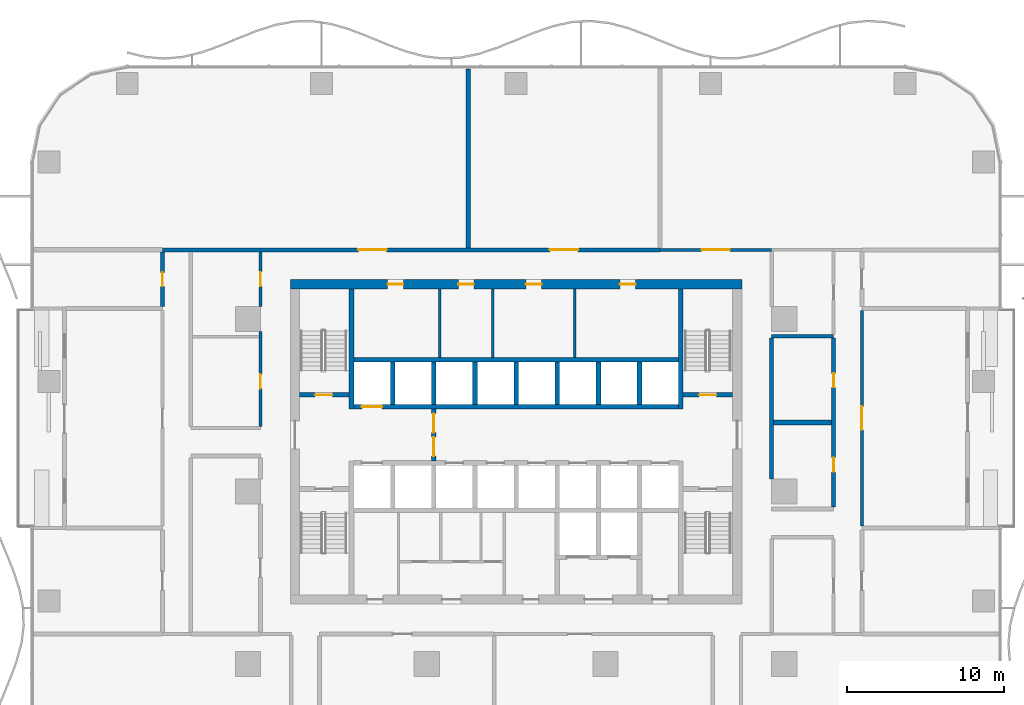
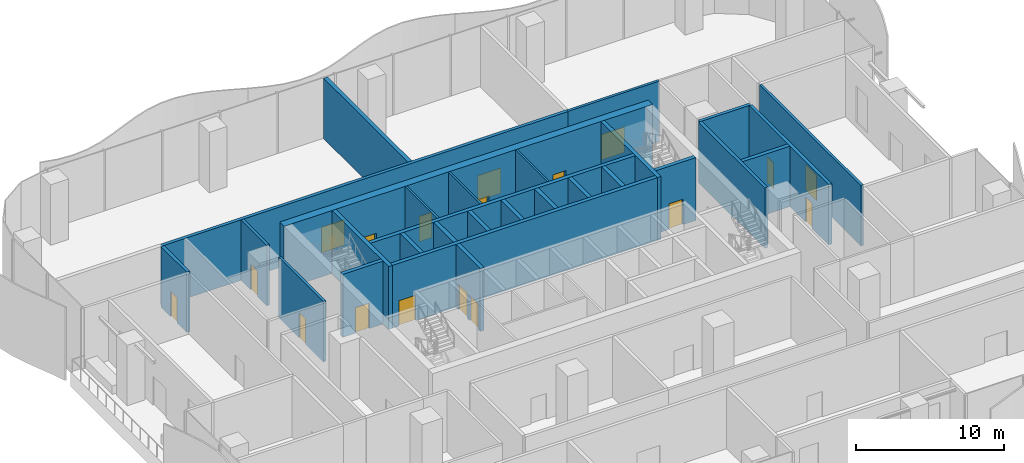
# One storey, part 10 of 21: 29 walls, 18 doors, 18 openings.
"""IFC4 building model written with IfcOpenShell, lengths in metres."""

import ifcopenshell
import ifcopenshell.guid

model = None  # the IFC model being written
_history = None  # IfcOwnerHistory: only IFC2X3 demands one
_inside = {}  # id of a spatial element -> (the spatial element, [elements in it])
_under = {}  # id of a project, library or spatial element -> (it, [spatial elements below it])
_declared = {}  # id of a project -> (the project, [libraries it declares])
_typed = {}  # id of a type object -> (the type object, [elements of that type])
_made_of = {}  # id of a material, layer set ... -> (it, [elements and type objects made of it])


def new_model(schema):
    """Start an empty IFC model of exactly this schema.

    Asked for "IFC4X3", IfcOpenShell would pick the latest addendum, in which some entities
    have other attributes; the version numbers below select the first issue.
    IFC2X3 requires an IfcOwnerHistory on every rooted entity: one is made here for all.
    """
    global model, _history
    if schema == "IFC4X3":
        model = ifcopenshell.file(schema_version=(4, 3, 0, 0))
    else:
        model = ifcopenshell.file(schema=schema)
    _inside.clear()
    _under.clear()
    _declared.clear()
    _typed.clear()
    _made_of.clear()
    _history = None
    if model.schema == "IFC2X3":
        org = make("IfcOrganization", Name="unknown")
        user = make(
            "IfcPersonAndOrganization",
            ThePerson=make("IfcPerson", FamilyName="unknown"),
            TheOrganization=org,
        )
        app = make(
            "IfcApplication",
            ApplicationDeveloper=org,
            Version="unknown",
            ApplicationFullName="unknown",
            ApplicationIdentifier="unknown",
        )
        _history = make(
            "IfcOwnerHistory",
            OwningUser=user,
            OwningApplication=app,
            ChangeAction="ADDED",
            CreationDate=0,
        )
    return model


def make(cls, **values):
    """One entity of the class cls with the attributes given. An attribute that is None is left unset."""
    return model.create_entity(
        cls, **{name: value for name, value in values.items() if value is not None}
    )


def rooted(cls, **values):
    """An entity with a GlobalId (a new one), such as an element, a storey or a relation."""
    return make(cls, GlobalId=ifcopenshell.guid.new(), OwnerHistory=_history, **values)


def si_unit(unit_type, name, prefix=None):
    """IfcSIUnit, for example si_unit("LENGTHUNIT", "METRE", prefix="MILLI")."""
    return make("IfcSIUnit", UnitType=unit_type, Prefix=prefix, Name=name)


def assignment(units):
    """IfcUnitAssignment: the units of a project."""
    return None if units is None else make("IfcUnitAssignment", Units=units)


def point(xyz):
    """IfcCartesianPoint."""
    return None if xyz is None else make("IfcCartesianPoint", Coordinates=xyz)


def direction(xyz):
    """IfcDirection."""
    return None if xyz is None else make("IfcDirection", DirectionRatios=xyz)


def frame(location, z_axis=None, x_axis=None):
    """IfcAxis2Placement3D, a coordinate frame: its origin and axes. An axis left out is left unset."""
    return make(
        "IfcAxis2Placement3D",
        Location=point(location),
        Axis=direction(z_axis),
        RefDirection=direction(x_axis),
    )


def frame_2d(location, x_axis=None):
    """IfcAxis2Placement2D, a coordinate frame in the plane: its origin and x axis."""
    return make(
        "IfcAxis2Placement2D", Location=point(location), RefDirection=direction(x_axis)
    )


def origin():
    """The frame at (0, 0, 0) with its axes left unset."""
    return frame((0.0, 0.0, 0.0))


def place(relative_to, where):
    """IfcLocalPlacement: puts the frame where relative to a parent placement (None: the world)."""
    return make(
        "IfcLocalPlacement", PlacementRelTo=relative_to, RelativePlacement=where
    )


def context(
    kind, dimensions, precision=None, world=None, true_north=None, identifier=None
):
    """IfcGeometricRepresentationContext, for example the 3D "Model" context."""
    return make(
        "IfcGeometricRepresentationContext",
        ContextIdentifier=identifier,
        ContextType=kind,
        CoordinateSpaceDimension=dimensions,
        Precision=precision,
        WorldCoordinateSystem=world,
        TrueNorth=true_north,
    )


def subcontext(parent, identifier, kind, view, scale=None):
    """IfcGeometricRepresentationSubContext, for example "Body" below "Model"."""
    return make(
        "IfcGeometricRepresentationSubContext",
        ContextIdentifier=identifier,
        ContextType=kind,
        ParentContext=parent,
        TargetScale=scale,
        TargetView=view,
    )


def project(units=None, contexts=None):
    """IfcProject with its units and contexts."""
    return rooted(
        "IfcProject",
        Name="project",
        RepresentationContexts=contexts,
        UnitsInContext=assignment(units),
    )


def spatial(cls, under=None, at=None, **own):
    """A site, building, storey or space (cls), placed at a placement, below another one or the project."""
    s = rooted(cls, ObjectPlacement=at, **own)
    if under is not None:
        _under.setdefault(under.id(), (under, []))[1].append(s)
    return s


def profile(cls, at=None, kind="AREA", **sizes):
    """A parametric profile (cls). Its sizes go by their IFC names, for example OverallWidth=200.0."""
    return make(cls, ProfileType=kind, Position=at, **sizes)


def rectangle(**sizes):
    """IfcRectangleProfileDef."""
    return profile("IfcRectangleProfileDef", **sizes)


def extrude(swept, where, along, depth):
    """IfcExtrudedAreaSolid: the profile swept, set in the frame where, extruded along a direction by depth."""
    return make(
        "IfcExtrudedAreaSolid",
        SweptArea=swept,
        Position=where,
        ExtrudedDirection=direction(along),
        Depth=depth,
    )


def shape(context_of_items, identifier, shape_type, items):
    """IfcShapeRepresentation: the items that make up one representation, for example the "Body"."""
    return make(
        "IfcShapeRepresentation",
        ContextOfItems=context_of_items,
        RepresentationIdentifier=identifier,
        RepresentationType=shape_type,
        Items=items,
    )


def material(Name=None, Category=None):
    """IfcMaterial."""
    return make("IfcMaterial", Name=Name, Category=Category)


def layer(
    of_material, thickness, ventilated=None, Name=None, Category=None, Priority=None
):
    """IfcMaterialLayer: one layer of a wall or slab, of a material (None: an air gap)."""
    return make(
        "IfcMaterialLayer",
        Material=of_material,
        LayerThickness=thickness,
        IsVentilated=ventilated,
        Name=Name,
        Category=Category,
        Priority=Priority,
    )


def layer_set(layers, Name=None):
    """IfcMaterialLayerSet."""
    return make("IfcMaterialLayerSet", MaterialLayers=layers, LayerSetName=Name)


def made_of(thing, what):
    """Note that an element or type object is made of a material, layer set ...; save() writes the relation."""
    if what is not None:
        _made_of.setdefault(what.id(), (what, []))[1].append(thing)
    return thing


def type_object(cls, material=None, **own):
    """A type object (cls), such as IfcWallType, which elements share."""
    return made_of(rooted(cls, **own), material)


def element(
    cls,
    number,
    at=None,
    inside=None,
    cuts=None,
    type_object=None,
    material=None,
    context=None,
    identifier="Body",
    shape_type=None,
    held_by="IfcProductDefinitionShape",
    body=None,
    shapes=None,
    **own,
):
    """One element of the class cls, such as IfcWall. Its Tag is "e" and its number.

    at: its placement. inside: the storey or other place that contains it. cuts: it is an
    opening in that element (IfcRelVoidsElement). A single representation is given by context,
    identifier, shape_type and body (its items); several are given by shapes. held_by: the class
    of the entity that holds the representations. save() writes the other relations.
    """
    e = rooted(cls, Tag="e%d" % number, ObjectPlacement=at, **own)
    if body is not None:
        shapes = [shape(context, identifier, shape_type, body)]
    if shapes is not None:
        e.Representation = make(held_by, Representations=shapes)
    if inside is not None:
        _inside.setdefault(inside.id(), (inside, []))[1].append(e)
    if cuts is not None:
        rooted(
            "IfcRelVoidsElement", RelatingBuildingElement=cuts, RelatedOpeningElement=e
        )
    if type_object is not None:
        _typed.setdefault(type_object.id(), (type_object, []))[1].append(e)
    return made_of(e, material)


def fill(opening, filler):
    """IfcRelFillsElement: the door or window that sits in an opening."""
    return rooted(
        "IfcRelFillsElement",
        RelatingOpeningElement=opening,
        RelatedBuildingElement=filler,
    )


def aggregate(whole, parts):
    """IfcRelAggregates: a whole, such as a stair, and the parts it consists of."""
    return rooted("IfcRelAggregates", RelatingObject=whole, RelatedObjects=parts)


def save(model, path):
    """Write the relations noted so far, then the file.

    IfcRelAggregates (storeys below a building ...), IfcRelContainedInSpatialStructure (elements
    in a storey), IfcRelDefinesByType, IfcRelAssociatesMaterial and IfcRelDeclares: one each for
    every whole, place, type object, material and project.
    """
    for whole, parts in _under.values():
        aggregate(whole, parts)
    for where, things in _inside.values():
        rooted(
            "IfcRelContainedInSpatialStructure",
            RelatedElements=things,
            RelatingStructure=where,
        )
    for kind, things in _typed.values():
        rooted("IfcRelDefinesByType", RelatedObjects=things, RelatingType=kind)
    for what, things in _made_of.values():
        rooted("IfcRelAssociatesMaterial", RelatedObjects=things, RelatingMaterial=what)
    for by, libraries in _declared.values():
        rooted("IfcRelDeclares", RelatingContext=by, RelatedDefinitions=libraries)
    model.write(path)


model = new_model("IFC4")

# Units and contexts
model_context = context("Model", 3, precision=1e-05, world=origin(), true_north=direction((0.0, 1.0)))
body_context = subcontext(model_context, "Body", "Model", "MODEL_VIEW")
ifc_project = project(units=[si_unit("LENGTHUNIT", "METRE"), si_unit("AREAUNIT", "SQUARE_METRE"), si_unit("VOLUMEUNIT", "CUBIC_METRE"), si_unit("PLANEANGLEUNIT", "RADIAN"), si_unit("MASSUNIT", "GRAM", prefix="KILO")], contexts=[model_context])

# Site, building, storey
site_placement = place(None, origin())
site = spatial("IfcSite", under=ifc_project, at=site_placement, CompositionType="ELEMENT")
building_placement = place(site_placement, origin())
building = spatial("IfcBuilding", under=site, at=building_placement, Name="Mopane Tessera Tower", CompositionType="ELEMENT")
storey_placement = place(building_placement, frame((0.0, 0.0, 9.0)))
storey = spatial("IfcBuildingStorey", under=building, at=storey_placement, Name="L01", CompositionType="ELEMENT", Elevation=9.0)

# Walls
ifc_material_1 = material(Name="Fire-rated gypsum board partition")
ifc_layer_1 = layer(ifc_material_1, 0.14990234375)
ifc_layer_set_1 = layer_set([ifc_layer_1], Name="Fire-rated gypsum board partition")
wall_type_1 = type_object("IfcWallType", Name="Core room partition 150 mm", PredefinedType="PARTITIONING", material=ifc_layer_set_1)
for number, where, z_axis, x_axis, name in (
    (1, (-4.875, 8.550048828125, 0.0), (0.0, 0.0, 1.0), (0.0, 1.0, 0.0), "L01 Room partition"),
    (2, (-1.5, 8.550048828125, 0.0), (0.0, 0.0, 1.0), (0.0, 1.0, 0.0), "L01 Room partition"),
    (3, (3.75, 8.550048828125, 0.0), (0.0, 0.0, 1.0), (0.0, 1.0, 0.0), "L01 Room partition"),
):
    element("IfcWall", number, at=place(storey_placement, frame(where, z_axis=z_axis, x_axis=x_axis)), inside=storey, type_object=wall_type_1, Name=name, PredefinedType="PARTITIONING", context=body_context, shape_type="SweptSolid", body=[
        extrude(rectangle(XDim=4.349853515625, YDim=0.14990234375, at=frame_2d((2.1748046875, 0.0))), origin(), (0.0, 0.0, 1.0), 5.199951171875),
    ])

# Wall, openings, doors
ifc_material_2 = material(Name="Concrete C70/85", Category="concrete")
ifc_layer_2 = layer(ifc_material_2, 0.60009765625)
ifc_layer_set_2 = layer_set([ifc_layer_2], Name="Concrete C70/85")
wall_type_2 = type_object("IfcWallType", Name="Core shear wall 600 mm", PredefinedType="SHEAR", material=ifc_layer_set_2)
wall_1_placement = place(storey_placement, frame((-14.39990234375, 13.199951171875, 0.0), z_axis=(0.0, 0.0, 1.0), x_axis=(1.0, 0.0, 0.0)))
wall_1 = element("IfcWall", 4, at=wall_1_placement, inside=storey, type_object=wall_type_2, Name="L01 Core wall north", PredefinedType="SHEAR", context=body_context, shape_type="SweptSolid", body=[
    extrude(rectangle(XDim=28.7998046875, YDim=0.60009765625, at=frame_2d((14.39990234375, 0.0))), origin(), (0.0, 0.0, 1.0), 5.199951171875),
])
opening_1_placement = place(wall_1_placement, frame((6.21240234375, 0.0, 0.0)))
opening_1 = element("IfcOpeningElement", 5, at=opening_1_placement, cuts=wall_1, Name="Opening RD1", PredefinedType="OPENING", context=body_context, shape_type="SweptSolid", body=[
    extrude(rectangle(XDim=1.0, YDim=2.10009765625, at=frame_2d((0.5, 1.050048828125))), frame((0.0, 0.31201171875, 0.0), z_axis=(0.0, -1.0, 0.0), x_axis=(1.0, 0.0, 0.0)), (0.0, 0.0, 1.0), 0.6240234375),
])
opening_2_placement = place(wall_1_placement, frame((10.71240234375, 0.0, 0.0)))
opening_2 = element("IfcOpeningElement", 6, at=opening_2_placement, cuts=wall_1, Name="Opening RD1", PredefinedType="OPENING", context=body_context, shape_type="SweptSolid", body=[
    extrude(rectangle(XDim=1.0, YDim=2.10009765625, at=frame_2d((0.5, 1.050048828125))), frame((0.0, 0.31201171875, 0.0), z_axis=(0.0, -1.0, 0.0), x_axis=(1.0, 0.0, 0.0)), (0.0, 0.0, 1.0), 0.6240234375),
])
opening_3_placement = place(wall_1_placement, frame((15.02490234375, 0.0, 0.0)))
opening_3 = element("IfcOpeningElement", 7, at=opening_3_placement, cuts=wall_1, Name="Opening RD1", PredefinedType="OPENING", context=body_context, shape_type="SweptSolid", body=[
    extrude(rectangle(XDim=1.0, YDim=2.10009765625, at=frame_2d((0.5, 1.050048828125))), frame((0.0, 0.31201171875, 0.0), z_axis=(0.0, -1.0, 0.0), x_axis=(1.0, 0.0, 0.0)), (0.0, 0.0, 1.0), 0.6240234375),
])
opening_4_placement = place(wall_1_placement, frame((21.02490234375, 0.0, 0.0)))
opening_4 = element("IfcOpeningElement", 8, at=opening_4_placement, cuts=wall_1, Name="Opening RD1", PredefinedType="OPENING", context=body_context, shape_type="SweptSolid", body=[
    extrude(rectangle(XDim=1.0, YDim=2.10009765625, at=frame_2d((0.5, 1.050048828125))), frame((0.0, 0.31201171875, 0.0), z_axis=(0.0, -1.0, 0.0), x_axis=(1.0, 0.0, 0.0)), (0.0, 0.0, 1.0), 0.6240234375),
])
ifc_material_3 = material(Name="Timber door", Category="wood")
door_type_1 = type_object("IfcDoorType", Name="Core room door 1000 x 2100", OperationType="SINGLE_SWING_LEFT", PredefinedType="DOOR", material=ifc_material_3)
door_1_placement = place(opening_1_placement, origin())
door_1 = element("IfcDoor", 9, at=door_1_placement, inside=storey, type_object=door_type_1, Name="L01 Room door", OperationType="SINGLE_SWING_LEFT", OverallHeight=2.10009765625, OverallWidth=1.0, PredefinedType="DOOR", context=body_context, shape_type="SweptSolid", body=[
    extrude(rectangle(XDim=1.0, YDim=2.10009765625, at=frame_2d((0.5, 1.050048828125))), frame((0.0, 0.02490234375, 0.0), z_axis=(0.0, -1.0, 0.0), x_axis=(1.0, 0.0, 0.0)), (0.0, 0.0, 1.0), 0.050048828125),
])
fill(opening_1, door_1)
door_2_placement = place(opening_2_placement, origin())
door_2 = element("IfcDoor", 10, at=door_2_placement, inside=storey, type_object=door_type_1, Name="L01 Room door", OperationType="SINGLE_SWING_LEFT", OverallHeight=2.10009765625, OverallWidth=1.0, PredefinedType="DOOR", context=body_context, shape_type="SweptSolid", body=[
    extrude(rectangle(XDim=1.0, YDim=2.10009765625, at=frame_2d((0.5, 1.050048828125))), frame((0.0, 0.02490234375, 0.0), z_axis=(0.0, -1.0, 0.0), x_axis=(1.0, 0.0, 0.0)), (0.0, 0.0, 1.0), 0.050048828125),
])
fill(opening_2, door_2)
door_3_placement = place(opening_3_placement, origin())
door_3 = element("IfcDoor", 11, at=door_3_placement, inside=storey, type_object=door_type_1, Name="L01 Room door", OperationType="SINGLE_SWING_LEFT", OverallHeight=2.10009765625, OverallWidth=1.0, PredefinedType="DOOR", context=body_context, shape_type="SweptSolid", body=[
    extrude(rectangle(XDim=1.0, YDim=2.10009765625, at=frame_2d((0.5, 1.050048828125))), frame((0.0, 0.02490234375, 0.0), z_axis=(0.0, -1.0, 0.0), x_axis=(1.0, 0.0, 0.0)), (0.0, 0.0, 1.0), 0.050048828125),
])
fill(opening_3, door_3)
door_4_placement = place(opening_4_placement, origin())
door_4 = element("IfcDoor", 12, at=door_4_placement, inside=storey, type_object=door_type_1, Name="L01 Room door", OperationType="SINGLE_SWING_LEFT", OverallHeight=2.10009765625, OverallWidth=1.0, PredefinedType="DOOR", context=body_context, shape_type="SweptSolid", body=[
    extrude(rectangle(XDim=1.0, YDim=2.10009765625, at=frame_2d((0.5, 1.050048828125))), frame((0.0, 0.02490234375, 0.0), z_axis=(0.0, -1.0, 0.0), x_axis=(1.0, 0.0, 0.0)), (0.0, 0.0, 1.0), 0.050048828125),
])
fill(opening_4, door_4)

# Walls
ifc_material_4 = material(Name="Concrete C60/75", Category="concrete")
ifc_layer_3 = layer(ifc_material_4, 0.300048828125)
ifc_layer_set_3 = layer_set([ifc_layer_3], Name="Concrete C60/75")
wall_type_3 = type_object("IfcWallType", Name="Core spine wall 300 mm", PredefinedType="SHEAR", material=ifc_layer_set_3)
for number, where, z_axis, x_axis, name in (
    (13, (-10.5, 5.25, 0.0), (0.0, 0.0, 1.0), (0.0, 1.0, 0.0), "L01 Core spine wall"),
    (14, (10.5, 5.25, 0.0), (0.0, 0.0, 1.0), (0.0, 1.0, 0.0), "L01 Core spine wall"),
):
    element("IfcWall", number, at=place(storey_placement, frame(where, z_axis=z_axis, x_axis=x_axis)), inside=storey, type_object=wall_type_3, Name=name, PredefinedType="SHEAR", context=body_context, shape_type="SweptSolid", body=[
        extrude(rectangle(XDim=7.64990234375, YDim=0.300048828125, at=frame_2d((3.824951171875, 0.0))), origin(), (0.0, 0.0, 1.0), 5.199951171875),
    ])

# Wall, opening, door
ifc_material_5 = material(Name="Gypsum board on steel studs, two layers each face, mineral wool infill", Category="steel")
ifc_layer_4 = layer(ifc_material_5, 0.199951171875)
ifc_layer_set_4 = layer_set([ifc_layer_4], Name="Gypsum board on steel studs, two layers each face, mineral wool infill")
wall_type_4 = type_object("IfcWallType", Name="Gypsum board corridor wall 200, rated EI 60", PredefinedType="PARTITIONING", material=ifc_layer_set_4)
wall_2_placement = place(storey_placement, frame((9.1650390625, 15.39990234375, 0.0), z_axis=(0.0, 0.0, 1.0), x_axis=(1.0, 0.0, 0.0)))
wall_2 = element("IfcWall", 15, at=wall_2_placement, inside=storey, type_object=wall_type_4, Name="Partition L01:029", PredefinedType="PARTITIONING", context=body_context, shape_type="SweptSolid", body=[
    extrude(rectangle(XDim=7.135009765625, YDim=0.199951171875, at=frame_2d((3.5673828125, 0.0))), origin(), (0.0, 0.0, 1.0), 5.0),
])
opening_5_placement = place(wall_2_placement, frame((2.66748046875, 0.0, 0.0)))
opening_5 = element("IfcOpeningElement", 16, at=opening_5_placement, cuts=wall_2, Name="Opening L01-21", PredefinedType="OPENING", context=body_context, shape_type="SweptSolid", body=[
    extrude(rectangle(XDim=1.800048828125, YDim=2.10009765625, at=frame_2d((0.89990234375, 1.050048828125))), frame((0.0, 0.112060546875, 0.0), z_axis=(0.0, -1.0, 0.0), x_axis=(1.0, 0.0, 0.0)), (0.0, 0.0, 1.0), 0.223876953125),
])
ifc_material_6 = material(Name="Timber veneered steel-framed fire door", Category="steel")
door_type_2 = type_object("IfcDoorType", Name="Fire door pair FD60 1800 x 2100", OperationType="DOUBLE_DOOR_SINGLE_SWING", PredefinedType="DOOR", material=ifc_material_6)
door_5_placement = place(opening_5_placement, origin())
door_5 = element("IfcDoor", 17, at=door_5_placement, inside=storey, type_object=door_type_2, Name="Door L01-21", ObjectType="D20A", OperationType="DOUBLE_DOOR_SINGLE_SWING", OverallHeight=2.10009765625, OverallWidth=1.800048828125, PredefinedType="DOOR", context=body_context, shape_type="SweptSolid", body=[
    extrude(rectangle(XDim=1.800048828125, YDim=2.10009765625, at=frame_2d((0.89990234375, 1.050048828125))), frame((0.0, 0.02490234375, 0.0), z_axis=(0.0, -1.0, 0.0), x_axis=(1.0, 0.0, 0.0)), (0.0, 0.0, 1.0), 0.050048828125),
])
fill(opening_5, door_5)

wall_3_placement = place(storey_placement, frame((-16.300048828125, 4.14990234375, 0.0), z_axis=(0.0, 0.0, 1.0), x_axis=(0.0, 1.0, 0.0)))
wall_3 = element("IfcWall", 18, at=wall_3_placement, inside=storey, type_object=wall_type_4, Name="Partition L01:039", PredefinedType="PARTITIONING", context=body_context, shape_type="SweptSolid", body=[
    extrude(rectangle(XDim=6.050048828125, YDim=0.199951171875, at=frame_2d((3.02490234375, 0.0))), origin(), (0.0, 0.0, 1.0), 5.0),
])
opening_6_placement = place(wall_3_placement, frame((2.407470703125, 0.0, 0.0)))
opening_6 = element("IfcOpeningElement", 19, at=opening_6_placement, cuts=wall_3, Name="Opening L01-18", PredefinedType="OPENING", context=body_context, shape_type="SweptSolid", body=[
    extrude(rectangle(XDim=0.89990234375, YDim=2.10009765625, at=frame_2d((0.449951171875, 1.050048828125))), frame((0.0, 0.112060546875, 0.0), z_axis=(0.0, -1.0, 0.0), x_axis=(1.0, 0.0, 0.0)), (0.0, 0.0, 1.0), 0.223876953125),
])
ifc_material_7 = material(Name="Timber veneered steel-framed fire door", Category="steel")
door_type_3 = type_object("IfcDoorType", Name="Fire door FD60 900 x 2100", OperationType="SINGLE_SWING_LEFT", PredefinedType="DOOR", material=ifc_material_7)
door_6_placement = place(opening_6_placement, origin())
door_6 = element("IfcDoor", 20, at=door_6_placement, inside=storey, type_object=door_type_3, Name="Door L01-18", ObjectType="D10A", OperationType="SINGLE_SWING_LEFT", OverallHeight=2.10009765625, OverallWidth=0.89990234375, PredefinedType="DOOR", context=body_context, shape_type="SweptSolid", body=[
    extrude(rectangle(XDim=0.89990234375, YDim=2.10009765625, at=frame_2d((0.449951171875, 1.050048828125))), frame((0.0, 0.02490234375, 0.0), z_axis=(0.0, -1.0, 0.0), x_axis=(1.0, 0.0, 0.0)), (0.0, 0.0, 1.0), 0.050048828125),
])
fill(opening_6, door_6)

wall_4_placement = place(storey_placement, frame((-16.300048828125, 11.800048828125, 0.0), z_axis=(0.0, 0.0, 1.0), x_axis=(0.0, 1.0, 0.0)))
wall_4 = element("IfcWall", 21, at=wall_4_placement, inside=storey, type_object=wall_type_4, Name="Partition L01:040", PredefinedType="PARTITIONING", context=body_context, shape_type="SweptSolid", body=[
    extrude(rectangle(XDim=3.474853515625, YDim=0.199951171875, at=frame_2d((1.7373046875, 0.0))), origin(), (0.0, 0.0, 1.0), 5.0),
])
opening_7_placement = place(wall_4_placement, frame((1.28759765625, 0.0, 0.0)))
opening_7 = element("IfcOpeningElement", 22, at=opening_7_placement, cuts=wall_4, Name="Opening L01-16", PredefinedType="OPENING", context=body_context, shape_type="SweptSolid", body=[
    extrude(rectangle(XDim=0.89990234375, YDim=2.10009765625, at=frame_2d((0.449951171875, 1.050048828125))), frame((0.0, 0.112060546875, 0.0), z_axis=(0.0, -1.0, 0.0), x_axis=(1.0, 0.0, 0.0)), (0.0, 0.0, 1.0), 0.223876953125),
])
door_7_placement = place(opening_7_placement, origin())
door_7 = element("IfcDoor", 23, at=door_7_placement, inside=storey, type_object=door_type_3, Name="Door L01-16", ObjectType="D10A", OperationType="SINGLE_SWING_LEFT", OverallHeight=2.10009765625, OverallWidth=0.89990234375, PredefinedType="DOOR", context=body_context, shape_type="SweptSolid", body=[
    extrude(rectangle(XDim=0.89990234375, YDim=2.10009765625, at=frame_2d((0.449951171875, 1.050048828125))), frame((0.0, 0.02490234375, 0.0), z_axis=(0.0, -1.0, 0.0), x_axis=(1.0, 0.0, 0.0)), (0.0, 0.0, 1.0), 0.050048828125),
])
fill(opening_7, door_7)

wall_5_placement = place(storey_placement, frame((22.050048828125, -2.2099609375, 0.0), z_axis=(0.0, 0.0, 1.0), x_axis=(0.0, 1.0, 0.0)))
wall_5 = element("IfcWall", 24, at=wall_5_placement, inside=storey, type_object=wall_type_4, Name="Partition L01:059", PredefinedType="PARTITIONING", context=body_context, shape_type="SweptSolid", body=[
    extrude(rectangle(XDim=13.75, YDim=0.199951171875, at=frame_2d((6.875, 0.0))), origin(), (0.0, 0.0, 1.0), 5.0),
])
opening_8_placement = place(wall_5_placement, frame((6.125, 0.0, 0.0)))
opening_8 = element("IfcOpeningElement", 25, at=opening_8_placement, cuts=wall_5, Name="Opening L01-24", PredefinedType="OPENING", context=body_context, shape_type="SweptSolid", body=[
    extrude(rectangle(XDim=1.5, YDim=2.10009765625, at=frame_2d((0.75, 1.050048828125))), frame((0.0, 0.112060546875, 0.0), z_axis=(0.0, -1.0, 0.0), x_axis=(1.0, 0.0, 0.0)), (0.0, 0.0, 1.0), 0.223876953125),
])
ifc_material_8 = material(Name="Timber veneered steel-framed fire door", Category="steel")
door_type_4 = type_object("IfcDoorType", Name="Fire door pair FD60 1500 x 2100", OperationType="DOUBLE_DOOR_SINGLE_SWING", PredefinedType="DOOR", material=ifc_material_8)
door_8_placement = place(opening_8_placement, origin())
door_8 = element("IfcDoor", 26, at=door_8_placement, inside=storey, type_object=door_type_4, Name="Door L01-24", ObjectType="D17A", OperationType="DOUBLE_DOOR_SINGLE_SWING", OverallHeight=2.10009765625, OverallWidth=1.5, PredefinedType="DOOR", context=body_context, shape_type="SweptSolid", body=[
    extrude(rectangle(XDim=1.5, YDim=2.10009765625, at=frame_2d((0.75, 1.050048828125))), frame((0.0, 0.02490234375, 0.0), z_axis=(0.0, -1.0, 0.0), x_axis=(1.0, 0.0, 0.0)), (0.0, 0.0, 1.0), 0.050048828125),
])
fill(opening_8, door_8)

ifc_material_9 = material(Name="Concrete C50/60", Category="concrete")
ifc_layer_5 = layer(ifc_material_9, 0.300048828125)
ifc_layer_set_5 = layer_set([ifc_layer_5], Name="Concrete C50/60")
wall_type_5 = type_object("IfcWallType", Name="Lift and stair shaft wall 300 mm", PredefinedType="SOLIDWALL", material=ifc_layer_set_5)
wall_6_placement = place(storey_placement, frame((-13.800048828125, 6.14990234375, 0.0), z_axis=(0.0, 0.0, 1.0), x_axis=(1.0, 0.0, 0.0)))
wall_6 = element("IfcWall", 27, at=wall_6_placement, inside=storey, type_object=wall_type_5, Name="L01 Stair enclosure wall", PredefinedType="SOLIDWALL", context=body_context, shape_type="SweptSolid", body=[
    extrude(rectangle(XDim=3.150146484375, YDim=0.300048828125, at=frame_2d((1.5751953125, 0.0))), origin(), (0.0, 0.0, 1.0), 5.199951171875),
])
opening_9_placement = place(wall_6_placement, frame((0.97509765625, 0.0, 0.0)))
opening_9 = element("IfcOpeningElement", 28, at=opening_9_placement, cuts=wall_6, Name="Opening SD1", PredefinedType="OPENING", context=body_context, shape_type="SweptSolid", body=[
    extrude(rectangle(XDim=1.10009765625, YDim=2.10009765625, at=frame_2d((0.550048828125, 1.050048828125))), frame((0.0, 0.162109375, 0.0), z_axis=(0.0, -1.0, 0.0), x_axis=(1.0, 0.0, 0.0)), (0.0, 0.0, 1.0), 0.323974609375),
])
ifc_material_10 = material(Name="Steel fire door", Category="steel")
door_type_5 = type_object("IfcDoorType", Name="Stair fire door 1100 x 2100", OperationType="SINGLE_SWING_LEFT", PredefinedType="DOOR", material=ifc_material_10)
door_9_placement = place(opening_9_placement, origin())
door_9 = element("IfcDoor", 29, at=door_9_placement, inside=storey, type_object=door_type_5, Name="L01 Stair door ST2", OperationType="SINGLE_SWING_LEFT", OverallHeight=2.10009765625, OverallWidth=1.10009765625, PredefinedType="DOOR", context=body_context, shape_type="SweptSolid", body=[
    extrude(rectangle(XDim=1.10009765625, YDim=2.10009765625, at=frame_2d((0.550048828125, 1.050048828125))), frame((0.0, 0.02490234375, 0.0), z_axis=(0.0, -1.0, 0.0), x_axis=(1.0, 0.0, 0.0)), (0.0, 0.0, 1.0), 0.050048828125),
])
fill(opening_9, door_9)

wall_7_placement = place(storey_placement, frame((10.64990234375, 6.14990234375, 0.0), z_axis=(0.0, 0.0, 1.0), x_axis=(1.0, 0.0, 0.0)))
wall_7 = element("IfcWall", 30, at=wall_7_placement, inside=storey, type_object=wall_type_5, Name="L01 Stair enclosure wall", PredefinedType="SOLIDWALL", context=body_context, shape_type="SweptSolid", body=[
    extrude(rectangle(XDim=3.150146484375, YDim=0.300048828125, at=frame_2d((1.5751953125, 0.0))), origin(), (0.0, 0.0, 1.0), 5.199951171875),
])
opening_10_placement = place(wall_7_placement, frame((1.02490234375, 0.0, 0.0)))
opening_10 = element("IfcOpeningElement", 31, at=opening_10_placement, cuts=wall_7, Name="Opening SD1", PredefinedType="OPENING", context=body_context, shape_type="SweptSolid", body=[
    extrude(rectangle(XDim=1.10009765625, YDim=2.10009765625, at=frame_2d((0.550048828125, 1.050048828125))), frame((0.0, 0.162109375, 0.0), z_axis=(0.0, -1.0, 0.0), x_axis=(1.0, 0.0, 0.0)), (0.0, 0.0, 1.0), 0.323974609375),
])
door_10_placement = place(opening_10_placement, origin())
door_10 = element("IfcDoor", 32, at=door_10_placement, inside=storey, type_object=door_type_5, Name="L01 Stair door ST4", OperationType="SINGLE_SWING_RIGHT", OverallHeight=2.10009765625, OverallWidth=1.10009765625, PredefinedType="DOOR", context=body_context, shape_type="SweptSolid", body=[
    extrude(rectangle(XDim=1.10009765625, YDim=2.10009765625, at=frame_2d((0.550048828125, 1.050048828125))), frame((0.0, 0.02490234375, 0.0), z_axis=(0.0, -1.0, 0.0), x_axis=(1.0, 0.0, 0.0)), (0.0, 0.0, 1.0), 0.050048828125),
])
fill(opening_10, door_10)

wall_8_placement = place(storey_placement, frame((-10.35009765625, 5.39990234375, 0.0), z_axis=(0.0, 0.0, 1.0), x_axis=(1.0, 0.0, 0.0)))
wall_8 = element("IfcWall", 33, at=wall_8_placement, inside=storey, type_object=wall_type_5, Name="L01 Lift shaft front wall", PredefinedType="SOLIDWALL", context=body_context, shape_type="SweptSolid", body=[
    extrude(rectangle(XDim=20.7001953125, YDim=0.300048828125, at=frame_2d((10.35009765625, 0.0))), origin(), (0.0, 0.0, 1.0), 5.199951171875),
])
opening_11_placement = place(wall_8_placement, frame((0.512451171875, 0.0, 0.0)))
opening_11 = element("IfcOpeningElement", 34, at=opening_11_placement, cuts=wall_8, Name="Opening LD2", PredefinedType="OPENING", context=body_context, shape_type="SweptSolid", body=[
    extrude(rectangle(XDim=1.300048828125, YDim=2.10009765625, at=frame_2d((0.64990234375, 1.050048828125))), frame((0.0, 0.162109375, 0.0), z_axis=(0.0, -1.0, 0.0), x_axis=(1.0, 0.0, 0.0)), (0.0, 0.0, 1.0), 0.323974609375),
])
ifc_material_11 = material(Name="Stainless steel sliding door", Category="steel")
door_type_6 = type_object("IfcDoorType", Name="Fire-fighting lift landing door 1300 x 2100", OperationType="DOUBLE_DOOR_SLIDING", PredefinedType="DOOR", material=ifc_material_11)
door_11_placement = place(opening_11_placement, origin())
door_11 = element("IfcDoor", 35, at=door_11_placement, inside=storey, type_object=door_type_6, Name="L01 Lift landing door FF2", OperationType="DOUBLE_DOOR_SLIDING", OverallHeight=2.10009765625, OverallWidth=1.300048828125, PredefinedType="DOOR", context=body_context, shape_type="SweptSolid", body=[
    extrude(rectangle(XDim=1.300048828125, YDim=2.10009765625, at=frame_2d((0.64990234375, 1.050048828125))), frame((0.0, 0.02490234375, 0.0), z_axis=(0.0, -1.0, 0.0), x_axis=(1.0, 0.0, 0.0)), (0.0, 0.0, 1.0), 0.050048828125),
])
fill(opening_11, door_11)

# Walls
wall_9_placement = place(storey_placement, frame((-10.35009765625, 8.39990234375, 0.0), z_axis=(0.0, 0.0, 1.0), x_axis=(1.0, 0.0, 0.0)))
element("IfcWall", 36, at=wall_9_placement, inside=storey, type_object=wall_type_5, Name="L01 Lift shaft rear wall", PredefinedType="SOLIDWALL", context=body_context, shape_type="SweptSolid", body=[
    extrude(rectangle(XDim=20.7001953125, YDim=0.300048828125, at=frame_2d((10.35009765625, 0.0))), origin(), (0.0, 0.0, 1.0), 5.199951171875),
])
for number, where, z_axis, x_axis, name in (
    (37, (-7.875, 5.550048828125, 0.0), (0.0, 0.0, 1.0), (0.0, 1.0, 0.0), "L01 Lift shaft wall"),
    (38, (-5.25, 5.550048828125, 0.0), (0.0, 0.0, 1.0), (0.0, 1.0, 0.0), "L01 Lift shaft wall"),
    (39, (-2.625, 5.550048828125, 0.0), (0.0, 0.0, 1.0), (0.0, 1.0, 0.0), "L01 Lift shaft wall"),
    (40, (0.0, 5.550048828125, 0.0), (0.0, 0.0, 1.0), (0.0, 1.0, 0.0), "L01 Lift shaft wall"),
    (41, (2.625, 5.550048828125, 0.0), (0.0, 0.0, 1.0), (0.0, 1.0, 0.0), "L01 Lift shaft wall"),
    (42, (5.25, 5.550048828125, 0.0), (0.0, 0.0, 1.0), (0.0, 1.0, 0.0), "L01 Lift shaft wall"),
    (43, (7.875, 5.550048828125, 0.0), (0.0, 0.0, 1.0), (0.0, 1.0, 0.0), "L01 Lift shaft wall"),
):
    element("IfcWall", number, at=place(storey_placement, frame(where, z_axis=z_axis, x_axis=x_axis)), inside=storey, type_object=wall_type_5, Name=name, PredefinedType="SOLIDWALL", context=body_context, shape_type="SweptSolid", body=[
        extrude(rectangle(XDim=2.699951171875, YDim=0.300048828125, at=frame_2d((1.35009765625, 0.0))), origin(), (0.0, 0.0, 1.0), 5.199951171875),
    ])

# Wall, openings, doors
ifc_material_12 = material(Name="Concrete C50/60", Category="concrete")
ifc_layer_6 = layer(ifc_material_12, 0.300048828125)
ifc_layer_set_6 = layer_set([ifc_layer_6], Name="Concrete C50/60")
wall_type_6 = type_object("IfcWallType", Name="Lobby and refuge room wall 300 mm", PredefinedType="SOLIDWALL", material=ifc_layer_set_6)
wall_10_placement = place(storey_placement, frame((-5.25, 1.949951171875, 0.0), z_axis=(0.0, 0.0, 1.0), x_axis=(0.0, 1.0, 0.0)))
wall_10 = element("IfcWall", 44, at=wall_10_placement, inside=storey, type_object=wall_type_6, Name="L01 Fire-fighting lobby wall", PredefinedType="SOLIDWALL", context=body_context, shape_type="SweptSolid", body=[
    extrude(rectangle(XDim=3.300048828125, YDim=0.300048828125, at=frame_2d((1.64990234375, 0.0))), origin(), (0.0, 0.0, 1.0), 5.199951171875),
])
opening_12_placement = place(wall_10_placement, frame((0.300048828125, 0.0, 0.0)))
opening_12 = element("IfcOpeningElement", 45, at=opening_12_placement, cuts=wall_10, Name="Opening SD3", PredefinedType="OPENING", context=body_context, shape_type="SweptSolid", body=[
    extrude(rectangle(XDim=1.199951171875, YDim=2.10009765625, at=frame_2d((0.60009765625, 1.050048828125))), frame((0.0, 0.162109375, 0.0), z_axis=(0.0, -1.0, 0.0), x_axis=(1.0, 0.0, 0.0)), (0.0, 0.0, 1.0), 0.323974609375),
])
opening_13_placement = place(wall_10_placement, frame((1.800048828125, 0.0, 0.0)))
opening_13 = element("IfcOpeningElement", 46, at=opening_13_placement, cuts=wall_10, Name="Opening SD3", PredefinedType="OPENING", context=body_context, shape_type="SweptSolid", body=[
    extrude(rectangle(XDim=1.199951171875, YDim=2.10009765625, at=frame_2d((0.60009765625, 1.050048828125))), frame((0.0, 0.162109375, 0.0), z_axis=(0.0, -1.0, 0.0), x_axis=(1.0, 0.0, 0.0)), (0.0, 0.0, 1.0), 0.323974609375),
])
ifc_material_13 = material(Name="Steel fire door", Category="steel")
door_type_7 = type_object("IfcDoorType", Name="Lobby fire door 1200 x 2100", OperationType="SINGLE_SWING_LEFT", PredefinedType="DOOR", material=ifc_material_13)
door_12_placement = place(opening_12_placement, origin())
door_12 = element("IfcDoor", 47, at=door_12_placement, inside=storey, type_object=door_type_7, Name="L01 Fire-fighting lobby door", OperationType="SINGLE_SWING_LEFT", OverallHeight=2.10009765625, OverallWidth=1.199951171875, PredefinedType="DOOR", context=body_context, shape_type="SweptSolid", body=[
    extrude(rectangle(XDim=1.199951171875, YDim=2.10009765625, at=frame_2d((0.60009765625, 1.050048828125))), frame((0.0, 0.02490234375, 0.0), z_axis=(0.0, -1.0, 0.0), x_axis=(1.0, 0.0, 0.0)), (0.0, 0.0, 1.0), 0.050048828125),
])
fill(opening_12, door_12)
door_13_placement = place(opening_13_placement, origin())
door_13 = element("IfcDoor", 48, at=door_13_placement, inside=storey, type_object=door_type_7, Name="L01 Fire-fighting lobby door", OperationType="SINGLE_SWING_RIGHT", OverallHeight=2.10009765625, OverallWidth=1.199951171875, PredefinedType="DOOR", context=body_context, shape_type="SweptSolid", body=[
    extrude(rectangle(XDim=1.199951171875, YDim=2.10009765625, at=frame_2d((0.60009765625, 1.050048828125))), frame((0.0, 0.02490234375, 0.0), z_axis=(0.0, -1.0, 0.0), x_axis=(1.0, 0.0, 0.0)), (0.0, 0.0, 1.0), 0.050048828125),
])
fill(opening_13, door_13)

# Walls
ifc_material_14 = material(Name="Plastered concrete blockwork C20/25", Category="masonry")
ifc_layer_7 = layer(ifc_material_14, 0.300048828125)
ifc_layer_set_7 = layer_set([ifc_layer_7], Name="Plastered concrete blockwork C20/25")
wall_type_7 = type_object("IfcWallType", Name="Plastered blockwork separation wall 300, rated EI 120", PredefinedType="PARTITIONING", material=ifc_layer_set_7)
wall_11_placement = place(storey_placement, frame((16.425048828125, 4.385009765625, 0.0), z_axis=(0.0, 0.0, 1.0), x_axis=(1.0, 0.0, 0.0)))
element("IfcWall", 49, at=wall_11_placement, inside=storey, type_object=wall_type_7, Name="Partition L01:023", PredefinedType="PARTITIONING", context=body_context, shape_type="SweptSolid", body=[
    extrude(rectangle(XDim=3.699951171875, YDim=0.300048828125, at=frame_2d((1.85009765625, 0.0))), origin(), (0.0, 0.0, 1.0), 5.0),
])
wall_12_placement = place(storey_placement, frame((-3.054931640625, 15.52490234375, 0.0), z_axis=(0.0, 0.0, 1.0), x_axis=(0.0, 1.0, 0.0)))
element("IfcWall", 50, at=wall_12_placement, inside=storey, type_object=wall_type_7, Name="Partition L01:046", PredefinedType="PARTITIONING", context=body_context, shape_type="SweptSolid", body=[
    extrude(rectangle(XDim=11.425048828125, YDim=0.300048828125, at=frame_2d((5.71240234375, 0.0))), origin(), (0.0, 0.0, 1.0), 5.0),
])
ifc_material_15 = material(Name="Plastered concrete blockwork C20/25", Category="masonry")
ifc_layer_8 = layer(ifc_material_15, 0.25)
ifc_layer_set_8 = layer_set([ifc_layer_8], Name="Plastered concrete blockwork C20/25")
wall_type_8 = type_object("IfcWallType", Name="Plastered blockwork wall 250, rated EI 120", PredefinedType="PARTITIONING", material=ifc_layer_set_8)
wall_13_placement = place(storey_placement, frame((16.300048828125, 9.889892578125, 0.0), z_axis=(0.0, 0.0, 1.0), x_axis=(1.0, 0.0, 0.0)))
element("IfcWall", 51, at=wall_13_placement, inside=storey, type_object=wall_type_8, Name="Partition L01:025", PredefinedType="PARTITIONING", context=body_context, shape_type="SweptSolid", body=[
    extrude(rectangle(XDim=3.949951171875, YDim=0.25, at=frame_2d((1.97509765625, 0.0))), origin(), (0.0, 0.0, 1.0), 5.0),
])

# Wall, openings, doors
wall_14_placement = place(storey_placement, frame((-22.550048828125, 15.39990234375, 0.0), z_axis=(0.0, 0.0, 1.0), x_axis=(1.0, 0.0, 0.0)))
wall_14 = element("IfcWall", 52, at=wall_14_placement, inside=storey, type_object=wall_type_8, Name="Partition L01:031", PredefinedType="PARTITIONING", context=body_context, shape_type="SweptSolid", body=[
    extrude(rectangle(XDim=31.715087890625, YDim=0.25, at=frame_2d((15.857421875, 0.0))), origin(), (0.0, 0.0, 1.0), 5.0),
])
opening_14_placement = place(wall_14_placement, frame((12.485107421875, 0.0, 0.0)))
opening_14 = element("IfcOpeningElement", 53, at=opening_14_placement, cuts=wall_14, Name="Opening L01-08", PredefinedType="OPENING", context=body_context, shape_type="SweptSolid", body=[
    extrude(rectangle(XDim=1.800048828125, YDim=2.10009765625, at=frame_2d((0.89990234375, 1.050048828125))), frame((0.0, 0.136962890625, 0.0), z_axis=(0.0, -1.0, 0.0), x_axis=(1.0, 0.0, 0.0)), (0.0, 0.0, 1.0), 0.27392578125),
])
opening_15_placement = place(wall_14_placement, frame((24.705078125, 0.0, 0.0)))
opening_15 = element("IfcOpeningElement", 54, at=opening_15_placement, cuts=wall_14, Name="Opening L01-12", PredefinedType="OPENING", context=body_context, shape_type="SweptSolid", body=[
    extrude(rectangle(XDim=1.800048828125, YDim=2.10009765625, at=frame_2d((0.89990234375, 1.050048828125))), frame((0.0, 0.136962890625, 0.0), z_axis=(0.0, -1.0, 0.0), x_axis=(1.0, 0.0, 0.0)), (0.0, 0.0, 1.0), 0.27392578125),
])
ifc_material_16 = material(Name="Timber veneered steel-framed fire door", Category="steel")
door_type_8 = type_object("IfcDoorType", Name="Fire door pair FD120 1800 x 2100", OperationType="DOUBLE_DOOR_SINGLE_SWING", PredefinedType="DOOR", material=ifc_material_16)
door_14_placement = place(opening_14_placement, origin())
door_14 = element("IfcDoor", 55, at=door_14_placement, inside=storey, type_object=door_type_8, Name="Door L01-08", ObjectType="D20B", OperationType="DOUBLE_DOOR_SINGLE_SWING", OverallHeight=2.10009765625, OverallWidth=1.800048828125, PredefinedType="DOOR", context=body_context, shape_type="SweptSolid", body=[
    extrude(rectangle(XDim=1.800048828125, YDim=2.10009765625, at=frame_2d((0.89990234375, 1.050048828125))), frame((0.0, 0.02490234375, 0.0), z_axis=(0.0, -1.0, 0.0), x_axis=(1.0, 0.0, 0.0)), (0.0, 0.0, 1.0), 0.050048828125),
])
fill(opening_14, door_14)
door_15_placement = place(opening_15_placement, origin())
door_15 = element("IfcDoor", 56, at=door_15_placement, inside=storey, type_object=door_type_8, Name="Door L01-12", ObjectType="D20B", OperationType="DOUBLE_DOOR_SINGLE_SWING", OverallHeight=2.10009765625, OverallWidth=1.800048828125, PredefinedType="DOOR", context=body_context, shape_type="SweptSolid", body=[
    extrude(rectangle(XDim=1.800048828125, YDim=2.10009765625, at=frame_2d((0.89990234375, 1.050048828125))), frame((0.0, 0.02490234375, 0.0), z_axis=(0.0, -1.0, 0.0), x_axis=(1.0, 0.0, 0.0)), (0.0, 0.0, 1.0), 0.050048828125),
])
fill(opening_15, door_15)

# Wall, opening, door
wall_15_placement = place(storey_placement, frame((-22.550048828125, 11.7900390625, 0.0), z_axis=(0.0, 0.0, 1.0), x_axis=(0.0, 1.0, 0.0)))
wall_15 = element("IfcWall", 57, at=wall_15_placement, inside=storey, type_object=wall_type_8, Name="Partition L01:036", PredefinedType="PARTITIONING", context=body_context, shape_type="SweptSolid", body=[
    extrude(rectangle(XDim=3.4599609375, YDim=0.25, at=frame_2d((1.72998046875, 0.0))), origin(), (0.0, 0.0, 1.0), 5.0),
])
opening_16_placement = place(wall_15_placement, frame((1.280029296875, 0.0, 0.0)))
opening_16 = element("IfcOpeningElement", 58, at=opening_16_placement, cuts=wall_15, Name="Opening L01-01", PredefinedType="OPENING", context=body_context, shape_type="SweptSolid", body=[
    extrude(rectangle(XDim=0.89990234375, YDim=2.10009765625, at=frame_2d((0.449951171875, 1.050048828125))), frame((0.0, 0.136962890625, 0.0), z_axis=(0.0, -1.0, 0.0), x_axis=(1.0, 0.0, 0.0)), (0.0, 0.0, 1.0), 0.27392578125),
])
ifc_material_17 = material(Name="Timber veneered steel-framed fire door", Category="steel")
door_type_9 = type_object("IfcDoorType", Name="Fire door FD120 900 x 2100", OperationType="SINGLE_SWING_LEFT", PredefinedType="DOOR", material=ifc_material_17)
door_16_placement = place(opening_16_placement, origin())
door_16 = element("IfcDoor", 59, at=door_16_placement, inside=storey, type_object=door_type_9, Name="Door L01-01", ObjectType="D10B", OperationType="SINGLE_SWING_LEFT", OverallHeight=2.10009765625, OverallWidth=0.89990234375, PredefinedType="DOOR", context=body_context, shape_type="SweptSolid", body=[
    extrude(rectangle(XDim=0.89990234375, YDim=2.10009765625, at=frame_2d((0.449951171875, 1.050048828125))), frame((0.0, 0.02490234375, 0.0), z_axis=(0.0, -1.0, 0.0), x_axis=(1.0, 0.0, 0.0)), (0.0, 0.0, 1.0), 0.050048828125),
])
fill(opening_16, door_16)

# Wall
wall_16_placement = place(storey_placement, frame((16.300048828125, 0.800048828125, 0.0), z_axis=(0.0, 0.0, 1.0), x_axis=(0.0, 1.0, 0.0)))
element("IfcWall", 60, at=wall_16_placement, inside=storey, type_object=wall_type_8, Name="Partition L01:055", PredefinedType="PARTITIONING", context=body_context, shape_type="SweptSolid", body=[
    extrude(rectangle(XDim=8.96484375, YDim=0.25, at=frame_2d((4.482421875, 0.0))), origin(), (0.0, 0.0, 1.0), 5.0),
])

# Wall, openings, doors
wall_17_placement = place(storey_placement, frame((20.25, -1.0, 0.0), z_axis=(0.0, 0.0, 1.0), x_axis=(0.0, 1.0, 0.0)))
wall_17 = element("IfcWall", 61, at=wall_17_placement, inside=storey, type_object=wall_type_8, Name="Partition L01:058", PredefinedType="PARTITIONING", context=body_context, shape_type="SweptSolid", body=[
    extrude(rectangle(XDim=10.764892578125, YDim=0.25, at=frame_2d((5.38232421875, 0.0))), origin(), (0.0, 0.0, 1.0), 5.0),
])
opening_17_placement = place(wall_17_placement, frame((2.242431640625, 0.0, 0.0)))
opening_17 = element("IfcOpeningElement", 62, at=opening_17_placement, cuts=wall_17, Name="Opening L01-09", PredefinedType="OPENING", context=body_context, shape_type="SweptSolid", body=[
    extrude(rectangle(XDim=0.89990234375, YDim=2.10009765625, at=frame_2d((0.449951171875, 1.050048828125))), frame((0.0, 0.136962890625, 0.0), z_axis=(0.0, -1.0, 0.0), x_axis=(1.0, 0.0, 0.0)), (0.0, 0.0, 1.0), 0.27392578125),
])
opening_18_placement = place(wall_17_placement, frame((7.625, 0.0, 0.0)))
opening_18 = element("IfcOpeningElement", 63, at=opening_18_placement, cuts=wall_17, Name="Opening L01-13", PredefinedType="OPENING", context=body_context, shape_type="SweptSolid", body=[
    extrude(rectangle(XDim=0.89990234375, YDim=2.10009765625, at=frame_2d((0.449951171875, 1.050048828125))), frame((0.0, 0.136962890625, 0.0), z_axis=(0.0, -1.0, 0.0), x_axis=(1.0, 0.0, 0.0)), (0.0, 0.0, 1.0), 0.27392578125),
])
door_17_placement = place(opening_17_placement, origin())
door_17 = element("IfcDoor", 64, at=door_17_placement, inside=storey, type_object=door_type_9, Name="Door L01-09", ObjectType="D10B", OperationType="SINGLE_SWING_LEFT", OverallHeight=2.10009765625, OverallWidth=0.89990234375, PredefinedType="DOOR", context=body_context, shape_type="SweptSolid", body=[
    extrude(rectangle(XDim=0.89990234375, YDim=2.10009765625, at=frame_2d((0.449951171875, 1.050048828125))), frame((0.0, 0.02490234375, 0.0), z_axis=(0.0, -1.0, 0.0), x_axis=(1.0, 0.0, 0.0)), (0.0, 0.0, 1.0), 0.050048828125),
])
fill(opening_17, door_17)
door_18_placement = place(opening_18_placement, origin())
door_18 = element("IfcDoor", 65, at=door_18_placement, inside=storey, type_object=door_type_9, Name="Door L01-13", ObjectType="D10B", OperationType="SINGLE_SWING_LEFT", OverallHeight=2.10009765625, OverallWidth=0.89990234375, PredefinedType="DOOR", context=body_context, shape_type="SweptSolid", body=[
    extrude(rectangle(XDim=0.89990234375, YDim=2.10009765625, at=frame_2d((0.449951171875, 1.050048828125))), frame((0.0, 0.02490234375, 0.0), z_axis=(0.0, -1.0, 0.0), x_axis=(1.0, 0.0, 0.0)), (0.0, 0.0, 1.0), 0.050048828125),
])
fill(opening_18, door_18)

save(model, "model.ifc")
